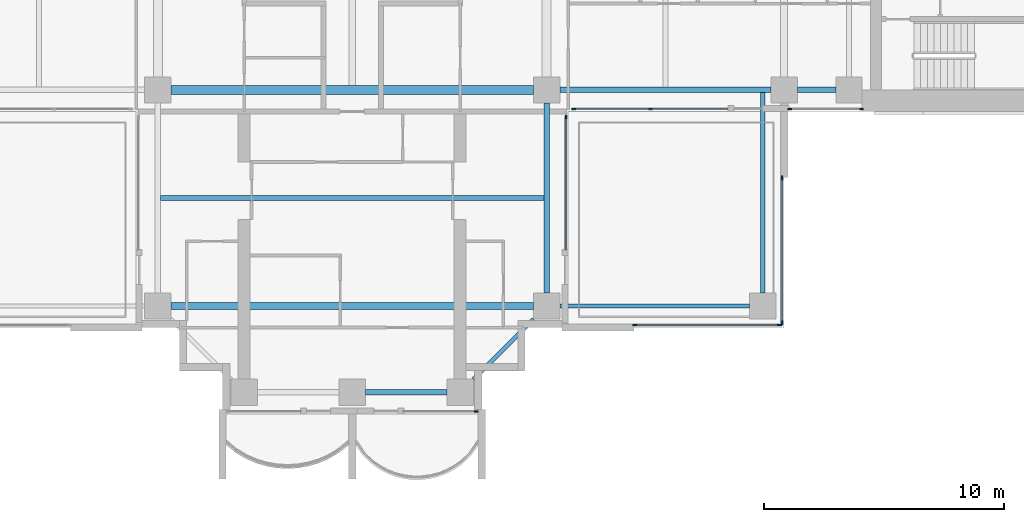
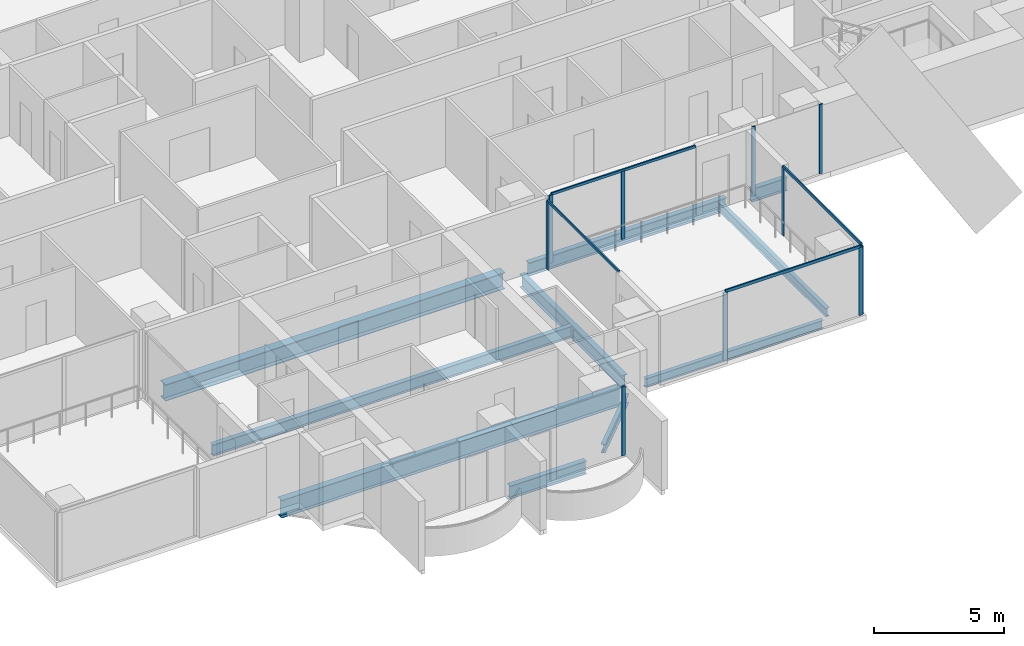
# One storey, part 3 of 19: 14 members, 10 beams, 6 elements without a shape of their own.
"""IFC4 building model written with IfcOpenShell, lengths in metres."""

from ifc_helpers import new_model, si_unit, direction, frame, origin, origin_2d, place, context, subcontext, project, spatial, rectangle, i_section, extrude, material, material_profile, profile_set, type_object, element, aggregate, save


model = new_model("IFC4")

# Units and contexts
model_context = context("Model", 3, precision=1e-05, world=origin(), true_north=direction((0.0, 1.0)))
body_context = subcontext(model_context, "Body", "Model", "MODEL_VIEW")
ifc_project = project(units=[si_unit("LENGTHUNIT", "METRE"), si_unit("AREAUNIT", "SQUARE_METRE"), si_unit("VOLUMEUNIT", "CUBIC_METRE"), si_unit("PLANEANGLEUNIT", "RADIAN"), si_unit("MASSUNIT", "GRAM", prefix="KILO")], contexts=[model_context])

# Site, building, storey
site_placement = place(None, origin())
site = spatial("IfcSite", under=ifc_project, at=site_placement, CompositionType="ELEMENT")
building_placement = place(site_placement, origin())
building = spatial("IfcBuilding", under=site, at=building_placement, Name="Perihelion Cross Residences", CompositionType="ELEMENT")
storey_placement = place(building_placement, frame((0.0, 0.0, 137.39990234375)))
storey = spatial("IfcBuildingStorey", under=building, at=storey_placement, Name="L33", CompositionType="ELEMENT", Elevation=137.39990234375)

# Curtain wall, member
ifc_material_1 = material(Name="Bronze anodised aluminium, tinted glazing", Category="aluminium")
curtain_wall_type_1 = type_object("IfcCurtainWallType", Name="CW1", PredefinedType="NOTDEFINED", material=ifc_material_1)
curtain_wall_1_placement = place(storey_placement, origin())
curtain_wall_1 = element("IfcCurtainWall", 1, at=curtain_wall_1_placement, inside=storey, type_object=curtain_wall_type_1, Name="Curtain wall CW1 L33 south tip south bay 2", PredefinedType="NOTDEFINED")
ifc_material_2 = material(Name="Bronze anodised aluminium", Category="aluminium")
ifc_material_profile_1 = material_profile(ifc_material_2, rectangle(XDim=0.06005859375, YDim=0.159912109375, at=origin_2d()), Name="CW1 mullion")
ifc_profile_set_1 = profile_set([ifc_material_profile_1], Name="Bronze anodised aluminium")
member_type_1 = type_object("IfcMemberType", Name="CW1 mullion", PredefinedType="MULLION", material=ifc_profile_set_1)
member_1_placement = place(storey_placement, frame((5.169921875, -21.5, 0.0), z_axis=(0.0, 0.0, 1.0), x_axis=(0.0, 1.0, 0.0)))
member_1 = element("IfcMember", 2, at=member_1_placement, type_object=member_type_1, Name="CW1 mullion 2", PredefinedType="MULLION", context=body_context, shape_type="SweptSolid", body=[
    extrude(rectangle(XDim=0.06005859375, YDim=0.159912109375, at=origin_2d()), origin(), (0.0, 0.0, 1.0), 3.25),
])
aggregate(curtain_wall_1, [member_1])

curtain_wall_2_placement = place(storey_placement, origin())
curtain_wall_2 = element("IfcCurtainWall", 3, at=curtain_wall_2_placement, inside=storey, type_object=curtain_wall_type_1, Name="Curtain wall CW1 L33 south side east bay 1", PredefinedType="NOTDEFINED")
member_2_placement = place(storey_placement, frame((8.89990234375, -9.22998046875, 0.0), z_axis=(0.0, 0.0, 1.0), x_axis=(-1.0, 0.0, 0.0)))
member_2 = element("IfcMember", 4, at=member_2_placement, type_object=member_type_1, Name="CW1 mullion 2", PredefinedType="MULLION", context=body_context, shape_type="SweptSolid", body=[
    extrude(rectangle(XDim=0.06005859375, YDim=0.159912109375, at=origin_2d()), origin(), (0.0, 0.0, 1.0), 3.190185546875),
])

# Curtain wall, members
curtain_wall_3_placement = place(storey_placement, origin())
curtain_wall_3 = element("IfcCurtainWall", 5, at=curtain_wall_3_placement, inside=storey, type_object=curtain_wall_type_1, Name="Curtain wall CW1 L33 east side south bay 1", PredefinedType="NOTDEFINED")
member_3_placement = place(storey_placement, frame((9.22998046875, -8.89990234375, 0.0), z_axis=(0.0, 0.0, 1.0), x_axis=(0.0, 1.0, 0.0)))
member_3 = element("IfcMember", 6, at=member_3_placement, type_object=member_type_1, Name="CW1 mullion 1", PredefinedType="MULLION", context=body_context, shape_type="SweptSolid", body=[
    extrude(rectangle(XDim=0.06005859375, YDim=0.159912109375, at=origin_2d()), origin(), (0.0, 0.0, 1.0), 3.190185546875),
])
member_4_placement = place(storey_placement, frame((12.425048828125, -8.89990234375, 0.0), z_axis=(0.0, 0.0, 1.0), x_axis=(0.0, 1.0, 0.0)))
member_4 = element("IfcMember", 7, at=member_4_placement, type_object=member_type_1, Name="CW1 mullion 2", PredefinedType="MULLION", context=body_context, shape_type="SweptSolid", body=[
    extrude(rectangle(XDim=0.06005859375, YDim=0.159912109375, at=origin_2d()), origin(), (0.0, 0.0, 1.0), 3.190185546875),
])

curtain_wall_4_placement = place(storey_placement, origin())
curtain_wall_4 = element("IfcCurtainWall", 8, at=curtain_wall_4_placement, inside=storey, type_object=curtain_wall_type_1, Name="Curtain wall CW1 L33 east side south bay 2", PredefinedType="NOTDEFINED")
member_5_placement = place(storey_placement, frame((18.22998046875, -8.89990234375, 0.0), z_axis=(0.0, 0.0, 1.0), x_axis=(0.0, 1.0, 0.0)))
member_5 = element("IfcMember", 9, at=member_5_placement, type_object=member_type_1, Name="CW1 mullion 1", PredefinedType="MULLION", context=body_context, shape_type="SweptSolid", body=[
    extrude(rectangle(XDim=0.06005859375, YDim=0.159912109375, at=origin_2d()), origin(), (0.0, 0.0, 1.0), 3.25),
])
member_6_placement = place(storey_placement, frame((21.219970703125, -8.89990234375, 0.0), z_axis=(0.0, 0.0, 1.0), x_axis=(0.0, 1.0, 0.0)))
member_6 = element("IfcMember", 10, at=member_6_placement, type_object=member_type_1, Name="CW1 mullion 2", PredefinedType="MULLION", context=body_context, shape_type="SweptSolid", body=[
    extrude(rectangle(XDim=0.06005859375, YDim=0.159912109375, at=origin_2d()), origin(), (0.0, 0.0, 1.0), 3.25),
])
aggregate(curtain_wall_4, [member_5, member_6])

# Member
ifc_material_3 = material(Name="Bronze anodised aluminium", Category="aluminium")
ifc_material_profile_2 = material_profile(ifc_material_3, rectangle(XDim=0.06005859375, YDim=0.1201171875, at=origin_2d()), Name="CW1 transom")
ifc_profile_set_2 = profile_set([ifc_material_profile_2], Name="Bronze anodised aluminium")
member_type_2 = type_object("IfcMemberType", Name="CW1 transom", PredefinedType="USERDEFINED", material=ifc_profile_set_2)
member_7_placement = place(storey_placement, frame((8.89990234375, -14.75, 3.22021484375), z_axis=(0.0, 1.0, 0.0), x_axis=(-1.0, 0.0, 0.0)))
member_7 = element("IfcMember", 11, at=member_7_placement, type_object=member_type_2, Name="CW1 head transom", ObjectType="TRANSOM", PredefinedType="USERDEFINED", context=body_context, shape_type="SweptSolid", body=[
    extrude(rectangle(XDim=0.06005859375, YDim=0.1201171875, at=origin_2d()), origin(), (0.0, 0.0, 1.0), 5.52001953125),
])

aggregate(curtain_wall_2, [member_2, member_7])

member_8_placement = place(storey_placement, frame((9.22998046875, -8.89990234375, 3.22021484375), z_axis=(1.0, 0.0, 0.0), x_axis=(0.0, 1.0, 0.0)))
member_8 = element("IfcMember", 12, at=member_8_placement, type_object=member_type_2, Name="CW1 head transom", ObjectType="TRANSOM", PredefinedType="USERDEFINED", context=body_context, shape_type="SweptSolid", body=[
    extrude(rectangle(XDim=0.06005859375, YDim=0.1201171875, at=origin_2d()), origin(), (0.0, 0.0, 1.0), 6.419921875),
])

aggregate(curtain_wall_3, [member_3, member_4, member_8])

# Curtain wall, members
ifc_material_4 = material(Name="Bronze anodised aluminium, tinted glazing", Category="aluminium")
curtain_wall_type_2 = type_object("IfcCurtainWallType", Name="CW4", PredefinedType="NOTDEFINED", material=ifc_material_4)
curtain_wall_5_placement = place(storey_placement, origin())
curtain_wall_5 = element("IfcCurtainWall", 13, at=curtain_wall_5_placement, inside=storey, type_object=curtain_wall_type_2, Name="Curtain wall CW4 L33 pocket south-east 1 1", PredefinedType="NOTDEFINED")
ifc_material_5 = material(Name="Bronze anodised aluminium", Category="aluminium")
ifc_material_profile_3 = material_profile(ifc_material_5, rectangle(XDim=0.06005859375, YDim=0.179931640625, at=origin_2d()), Name="CW4 mullion")
ifc_profile_set_3 = profile_set([ifc_material_profile_3], Name="Bronze anodised aluminium")
member_type_3 = type_object("IfcMemberType", Name="CW4 mullion", PredefinedType="MULLION", material=ifc_profile_set_3)
member_9_placement = place(storey_placement, frame((17.89990234375, -11.77001953125, 0.0), z_axis=(0.0, 0.0, 1.0), x_axis=(1.0, 0.0, 0.0)))
member_9 = element("IfcMember", 14, at=member_9_placement, type_object=member_type_3, Name="CW4 mullion 1", PredefinedType="MULLION", context=body_context, shape_type="SweptSolid", body=[
    extrude(rectangle(XDim=0.06005859375, YDim=0.179931640625, at=origin_2d()), origin(), (0.0, 0.0, 1.0), 3.190185546875),
])
member_10_placement = place(storey_placement, frame((17.89990234375, -17.800048828125, 0.0), z_axis=(0.0, 0.0, 1.0), x_axis=(1.0, 0.0, 0.0)))
member_10 = element("IfcMember", 15, at=member_10_placement, type_object=member_type_3, Name="CW4 mullion 2", PredefinedType="MULLION", context=body_context, shape_type="SweptSolid", body=[
    extrude(rectangle(XDim=0.06005859375, YDim=0.179931640625, at=origin_2d()), origin(), (0.0, 0.0, 1.0), 3.190185546875),
])

curtain_wall_6_placement = place(storey_placement, origin())
curtain_wall_6 = element("IfcCurtainWall", 16, at=curtain_wall_6_placement, inside=storey, type_object=curtain_wall_type_2, Name="Curtain wall CW4 L33 pocket south-east 1 2", PredefinedType="NOTDEFINED")
member_11_placement = place(storey_placement, frame((17.800048828125, -17.89990234375, 0.0), z_axis=(0.0, 0.0, 1.0), x_axis=(0.0, -1.0, 0.0)))
member_11 = element("IfcMember", 17, at=member_11_placement, type_object=member_type_3, Name="CW4 mullion 1", PredefinedType="MULLION", context=body_context, shape_type="SweptSolid", body=[
    extrude(rectangle(XDim=0.06005859375, YDim=0.179931640625, at=origin_2d()), origin(), (0.0, 0.0, 1.0), 3.190185546875),
])
member_12_placement = place(storey_placement, frame((11.77001953125, -17.89990234375, 0.0), z_axis=(0.0, 0.0, 1.0), x_axis=(0.0, -1.0, 0.0)))
member_12 = element("IfcMember", 18, at=member_12_placement, type_object=member_type_3, Name="CW4 mullion 2", PredefinedType="MULLION", context=body_context, shape_type="SweptSolid", body=[
    extrude(rectangle(XDim=0.06005859375, YDim=0.179931640625, at=origin_2d()), origin(), (0.0, 0.0, 1.0), 3.190185546875),
])

# Member
ifc_material_6 = material(Name="Bronze anodised aluminium", Category="aluminium")
ifc_material_profile_4 = material_profile(ifc_material_6, rectangle(XDim=0.06005859375, YDim=0.139892578125, at=origin_2d()), Name="CW4 transom")
ifc_profile_set_4 = profile_set([ifc_material_profile_4], Name="Bronze anodised aluminium")
member_type_4 = type_object("IfcMemberType", Name="CW4 transom", PredefinedType="USERDEFINED", material=ifc_profile_set_4)
member_13_placement = place(storey_placement, frame((17.89990234375, -11.77001953125, 3.22021484375), z_axis=(0.0, -1.0, 0.0), x_axis=(1.0, 0.0, 0.0)))
member_13 = element("IfcMember", 19, at=member_13_placement, type_object=member_type_4, Name="CW4 head transom", ObjectType="TRANSOM", PredefinedType="USERDEFINED", context=body_context, shape_type="SweptSolid", body=[
    extrude(rectangle(XDim=0.06005859375, YDim=0.139892578125, at=origin_2d()), origin(), (0.0, 0.0, 1.0), 6.030029296875),
])

aggregate(curtain_wall_5, [member_9, member_10, member_13])

member_14_placement = place(storey_placement, frame((17.800048828125, -17.89990234375, 3.22021484375), z_axis=(-1.0, 0.0, 0.0), x_axis=(0.0, -1.0, 0.0)))
member_14 = element("IfcMember", 20, at=member_14_placement, type_object=member_type_4, Name="CW4 head transom", ObjectType="TRANSOM", PredefinedType="USERDEFINED", context=body_context, shape_type="SweptSolid", body=[
    extrude(rectangle(XDim=0.06005859375, YDim=0.139892578125, at=origin_2d()), origin(), (0.0, 0.0, 1.0), 6.030029296875),
])

aggregate(curtain_wall_6, [member_11, member_12, member_14])

# Beams
ifc_material_7 = material(Name="Steel S355", Category="steel")
ifc_material_profile_5 = material_profile(ifc_material_7, i_section(OverallWidth=0.177978515625, OverallDepth=0.406005859375, WebThickness=0.0078125, FlangeThickness=0.0126953125, at=origin_2d()), Name="W410x60")
ifc_profile_set_5 = profile_set([ifc_material_profile_5], Name="Steel S355")
beam_type_1 = type_object("IfcBeamType", Name="Core edge beam W410x60", PredefinedType="BEAM", material=ifc_profile_set_5)
beam_1_placement = place(storey_placement, frame((17.10009765625, -8.214599609375, -0.452880859375), z_axis=(0.0, -1.0, 0.0), x_axis=(1.0, 0.0, 0.0)))
element("IfcBeam", 21, at=beam_1_placement, inside=storey, type_object=beam_type_1, Name="Core edge beam TB2 L33 corner no. 5", PredefinedType="BEAM", context=body_context, shape_type="SweptSolid", body=[
    extrude(i_section(OverallWidth=0.177978515625, OverallDepth=0.406005859375, WebThickness=0.0078125, FlangeThickness=0.0126953125, at=origin_2d()), origin(), (0.0, 0.0, 1.0), 8.33544921875),
])
beam_2_placement = place(storey_placement, frame((8.64990234375, -17.10009765625, -0.452880859375), z_axis=(1.0, 0.0, 0.0), x_axis=(0.0, 1.0, 0.0)))
element("IfcBeam", 22, at=beam_2_placement, inside=storey, type_object=beam_type_1, Name="Core edge beam TB2 L33 corner no. 6", PredefinedType="BEAM", context=body_context, shape_type="SweptSolid", body=[
    extrude(i_section(OverallWidth=0.177978515625, OverallDepth=0.406005859375, WebThickness=0.0078125, FlangeThickness=0.0126953125, at=origin_2d()), origin(), (0.0, 0.0, 1.0), 7.900146484375),
])
ifc_material_8 = material(Name="Steel S355", Category="steel")
ifc_material_profile_6 = material_profile(ifc_material_8, i_section(OverallWidth=0.22900390625, OverallDepth=0.612060546875, WebThickness=0.011962890625, FlangeThickness=0.01953125, at=origin_2d()), Name="W610x125")
ifc_profile_set_6 = profile_set([ifc_material_profile_6], Name="Steel S355")
beam_type_2 = type_object("IfcBeamType", Name="Edge beam W610x125", PredefinedType="SPANDREL", material=ifc_profile_set_6)
beam_3_placement = place(storey_placement, frame((0.550048828125, -20.699951171875, -0.555908203125), z_axis=(1.0, 0.0, 0.0), x_axis=(0.0, 1.0, 0.0)))
element("IfcBeam", 23, at=beam_3_placement, inside=storey, type_object=beam_type_2, Name="Edge beam SB3 L33 no. 9", PredefinedType="SPANDREL", context=body_context, shape_type="SweptSolid", body=[
    extrude(i_section(OverallWidth=0.22900390625, OverallDepth=0.612060546875, WebThickness=0.011962890625, FlangeThickness=0.01953125, at=origin_2d()), origin(), (0.0, 0.0, 1.0), 3.39990234375),
])
beam_4_placement = place(storey_placement, frame((8.10009765625, -16.550048828125, -0.555908203125), z_axis=(0.0, 1.0, 0.0), x_axis=(-1.0, 0.0, 0.0)))
element("IfcBeam", 24, at=beam_4_placement, inside=storey, type_object=beam_type_2, Name="Edge beam SB3 L33 no. 15", PredefinedType="SPANDREL", context=body_context, shape_type="SweptSolid", body=[
    extrude(i_section(OverallWidth=0.22900390625, OverallDepth=0.612060546875, WebThickness=0.011962890625, FlangeThickness=0.01953125, at=origin_2d()), origin(), (0.0, 0.0, 1.0), 7.900146484375),
])
beam_5_placement = place(storey_placement, frame((8.64990234375, -8.10009765625, -0.555908203125), z_axis=(1.0, 0.0, 0.0), x_axis=(0.0, 1.0, 0.0)))
element("IfcBeam", 25, at=beam_5_placement, inside=storey, type_object=beam_type_2, Name="Edge beam SB3 L33 no. 16", PredefinedType="SPANDREL", context=body_context, shape_type="SweptSolid", body=[
    extrude(i_section(OverallWidth=0.22900390625, OverallDepth=0.612060546875, WebThickness=0.011962890625, FlangeThickness=0.01953125, at=origin_2d()), origin(), (0.0, 0.0, 1.0), 8.800048828125),
])
beam_6_placement = place(storey_placement, frame((18.550048828125, -8.10009765625, -0.555908203125), z_axis=(1.0, 0.0, 0.0), x_axis=(0.0, 1.0, 0.0)))
element("IfcBeam", 26, at=beam_6_placement, inside=storey, type_object=beam_type_2, Name="Edge beam SB3 L33 no. 11", PredefinedType="SPANDREL", context=body_context, shape_type="SweptSolid", body=[
    extrude(i_section(OverallWidth=0.22900390625, OverallDepth=0.612060546875, WebThickness=0.011962890625, FlangeThickness=0.01953125, at=origin_2d()), origin(), (0.0, 0.0, 1.0), 1.599853515625),
])
ifc_material_9 = material(Name="Steel S355", Category="steel")
ifc_material_profile_7 = material_profile(ifc_material_9, i_section(OverallWidth=0.2919921875, OverallDepth=0.8359375, WebThickness=0.013916015625, FlangeThickness=0.018798828125, at=origin_2d()), Name="W840x176")
ifc_profile_set_7 = profile_set([ifc_material_profile_7], Name="Steel S355")
beam_type_3 = type_object("IfcBeamType", Name="Floor girder W840x176", PredefinedType="BEAM", material=ifc_profile_set_7)
beam_7_placement = place(storey_placement, frame((-7.550048828125, -17.10009765625, -0.66796875), z_axis=(1.0, 0.0, 0.0), x_axis=(0.0, 1.0, 0.0)))
element("IfcBeam", 27, at=beam_7_placement, inside=storey, type_object=beam_type_3, Name="Girder G3 L33 no. 3", PredefinedType="BEAM", context=body_context, shape_type="SweptSolid", body=[
    extrude(i_section(OverallWidth=0.2919921875, OverallDepth=0.8359375, WebThickness=0.013916015625, FlangeThickness=0.018798828125, at=origin_2d()), origin(), (0.0, 0.0, 1.0), 15.10009765625),
])
ifc_material_10 = material(Name="Steel S355", Category="steel")
ifc_material_profile_8 = material_profile(ifc_material_10, i_section(OverallWidth=0.208984375, OverallDepth=0.532958984375, WebThickness=0.01025390625, FlangeThickness=0.015625, at=origin_2d()), Name="W530x92")
ifc_profile_set_8 = profile_set([ifc_material_profile_8], Name="Steel S355")
beam_type_4 = type_object("IfcBeamType", Name="Floor joist W530x92", PredefinedType="JOIST", material=ifc_profile_set_8)
beam_8_placement = place(storey_placement, frame((-7.985595703125, -12.60009765625, -0.516357421875), z_axis=(1.0, 0.0, 0.0), x_axis=(0.0, 1.0, 0.0)))
element("IfcBeam", 28, at=beam_8_placement, inside=storey, type_object=beam_type_4, Name="Joist J4 L33 no. 3", PredefinedType="JOIST", context=body_context, shape_type="SweptSolid", body=[
    extrude(i_section(OverallWidth=0.208984375, OverallDepth=0.532958984375, WebThickness=0.01025390625, FlangeThickness=0.015625, at=origin_2d()), origin(), (0.0, 0.0, 1.0), 15.97119140625),
])
ifc_material_11 = material(Name="Steel S355", Category="steel")
ifc_material_profile_9 = material_profile(ifc_material_11, i_section(OverallWidth=0.381103515625, OverallDepth=0.77197265625, WebThickness=0.0166015625, FlangeThickness=0.027099609375, at=origin_2d()), Name="W760x257")
ifc_profile_set_9 = profile_set([ifc_material_profile_9], Name="Steel S355")
beam_type_5 = type_object("IfcBeamType", Name="Hub ring girder W760x257", PredefinedType="BEAM", material=ifc_profile_set_9)
beam_9_placement = place(storey_placement, frame((-7.550048828125, -8.10009765625, -0.635986328125), z_axis=(1.0, 0.0, 0.0), x_axis=(0.0, 1.0, 0.0)))
element("IfcBeam", 29, at=beam_9_placement, inside=storey, type_object=beam_type_5, Name="Hub ring girder RG3 L33 no. 1", PredefinedType="BEAM", context=body_context, shape_type="SweptSolid", body=[
    extrude(i_section(OverallWidth=0.381103515625, OverallDepth=0.77197265625, WebThickness=0.0166015625, FlangeThickness=0.027099609375, at=origin_2d()), origin(), (0.0, 0.0, 1.0), 15.10009765625),
])
ifc_material_12 = material(Name="Steel S355", Category="steel")
ifc_material_profile_10 = material_profile(ifc_material_12, i_section(OverallWidth=0.180908203125, OverallDepth=0.4169921875, WebThickness=0.010986328125, FlangeThickness=0.018310546875, at=origin_2d()), Name="W410x85")
ifc_profile_set_10 = profile_set([ifc_material_profile_10], Name="Steel S355")
beam_type_6 = type_object("IfcBeamType", Name="Serration edge beam W410x85", PredefinedType="BEAM", material=ifc_profile_set_10)
beam_10_placement = place(storey_placement, frame((5.050048828125, -20.14990234375, -0.45849609375), z_axis=(0.707106781187, 0.707106781187, 0.0), x_axis=(-0.707106781187, 0.707106781187, 0.0)))
element("IfcBeam", 30, at=beam_10_placement, inside=storey, type_object=beam_type_6, Name="Serration edge beam EB3 L33 no. 3", PredefinedType="BEAM", context=body_context, shape_type="SweptSolid", body=[
    extrude(i_section(OverallWidth=0.180908203125, OverallDepth=0.4169921875, WebThickness=0.010986328125, FlangeThickness=0.018310546875, at=origin_2d()), origin(), (0.0, 0.0, 1.0), 3.53564453125),
])

save(model, "model.ifc")
